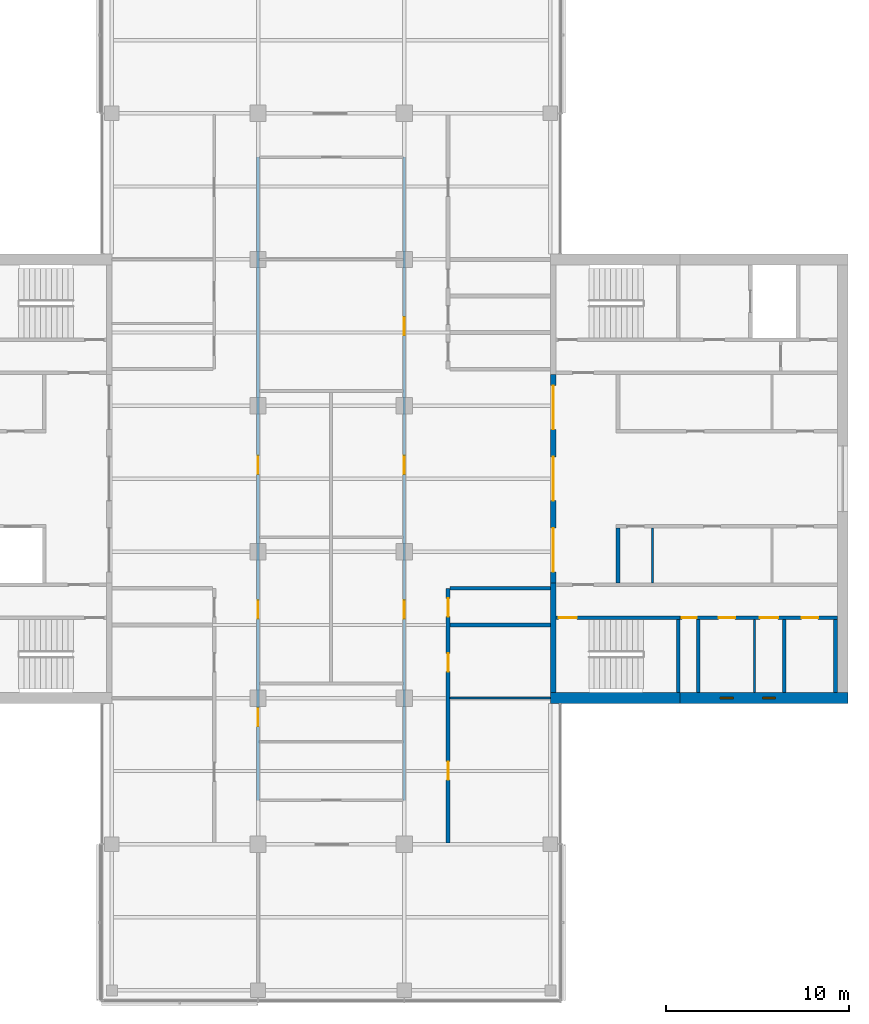
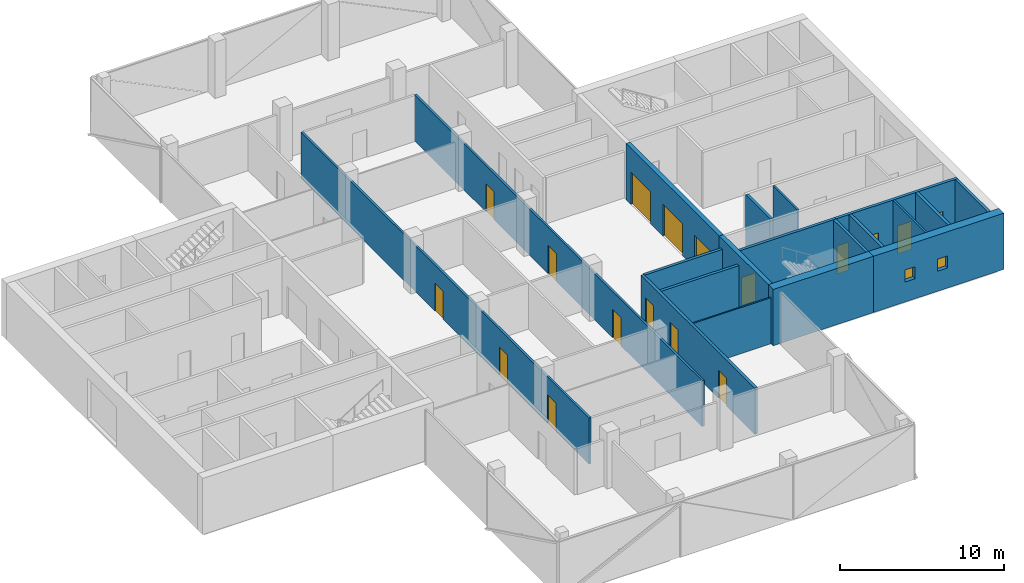
# One storey, part 10 of 16: 19 walls, 17 doors, 2 windows, 19 openings.
"""IFC4 building model written with IfcOpenShell, lengths in metres."""

from ifc_helpers import new_model, si_unit, direction, frame, frame_2d, origin, place, context, subcontext, project, spatial, rectangle, extrude, material, layer, layer_set, constituent, constituent_set, type_object, element, fill, save


model = new_model("IFC4")

# Units and contexts
model_context = context("Model", 3, precision=1e-05, world=origin(), true_north=direction((0.0, 1.0)))
body_context = subcontext(model_context, "Body", "Model", "MODEL_VIEW")
ifc_project = project(units=[si_unit("LENGTHUNIT", "METRE"), si_unit("AREAUNIT", "SQUARE_METRE"), si_unit("VOLUMEUNIT", "CUBIC_METRE"), si_unit("PLANEANGLEUNIT", "RADIAN"), si_unit("MASSUNIT", "GRAM", prefix="KILO")], contexts=[model_context])

# Site, building, storey
site_placement = place(None, origin())
site = spatial("IfcSite", under=ifc_project, at=site_placement, CompositionType="ELEMENT")
building_placement = place(site_placement, origin())
building = spatial("IfcBuilding", under=site, at=building_placement, Name="Crosswind Convention Tower", CompositionType="ELEMENT")
storey_placement = place(building_placement, frame((0.0, 0.0, 212.5)))
storey = spatial("IfcBuildingStorey", under=building, at=storey_placement, Name="L45", CompositionType="ELEMENT", Elevation=212.5)

# Wall
ifc_material_1 = material(Name="Concrete blockwork", Category="masonry")
ifc_layer_1 = layer(ifc_material_1, 0.199951171875)
ifc_layer_set_1 = layer_set([ifc_layer_1], Name="Blockwork partition wall 200")
wall_type_1 = type_object("IfcWallType", Name="Blockwork partition wall 200", PredefinedType="PARTITIONING", material=ifc_layer_set_1)
wall_1_placement = place(storey_placement, frame((145.10009765625, 88.300048828125, 0.0), z_axis=(0.0, 0.0, 1.0), x_axis=(0.0, 1.0, 0.0)))
element("IfcWall", 1, at=wall_1_placement, inside=storey, type_object=wall_type_1, Name="Wall MRSE E L45", PredefinedType="PARTITIONING", context=body_context, shape_type="SweptSolid", body=[
    extrude(rectangle(XDim=4.0, YDim=0.199951171875, at=frame_2d((2.0, 0.0))), origin(), (0.0, 0.0, 1.0), 4.199951171875),
])

# Wall, openings, doors
ifc_layer_2 = layer(ifc_material_1, 0.199951171875)
ifc_layer_set_2 = layer_set([ifc_layer_2], Name="COMPARTMENT WALL 200 BLOCKWORK")
wall_type_2 = type_object("IfcWallType", Name="COMPARTMENT WALL 200 BLOCKWORK", PredefinedType="SOLIDWALL", material=ifc_layer_set_2)
wall_2_placement = place(storey_placement, frame((131.39990234375, 80.074951171875, 0.0), z_axis=(0.0, 0.0, 1.0), x_axis=(0.0, 1.0, 0.0)))
wall_2 = element("IfcWall", 2, at=wall_2_placement, inside=storey, type_object=wall_type_2, Name="Compartment wall WT42", PredefinedType="SOLIDWALL", context=body_context, shape_type="SweptSolid", body=[
    extrude(rectangle(XDim=13.925048828125, YDim=0.199951171875, at=frame_2d((6.96240234375, 0.0))), origin(), (0.0, 0.0, 1.0), 3.439697265625),
])
opening_1_placement = place(wall_2_placement, frame((12.375, 0.0, 0.0)))
opening_1 = element("IfcOpeningElement", 3, at=opening_1_placement, cuts=wall_2, Name="Opening L45-54", PredefinedType="OPENING", context=body_context, shape_type="SweptSolid", body=[
    extrude(rectangle(XDim=1.0, YDim=2.10009765625, at=frame_2d((0.5, 1.050048828125))), frame((0.0, 0.10986328125, 0.0), z_axis=(0.0, -1.0, 0.0), x_axis=(1.0, 0.0, 0.0)), (0.0, 0.0, 1.0), 0.219970703125),
])
opening_2_placement = place(wall_2_placement, frame((9.375, 0.0, 0.0)))
opening_2 = element("IfcOpeningElement", 4, at=opening_2_placement, cuts=wall_2, Name="Opening L45-55", PredefinedType="OPENING", context=body_context, shape_type="SweptSolid", body=[
    extrude(rectangle(XDim=1.0, YDim=2.10009765625, at=frame_2d((0.5, 1.050048828125))), frame((0.0, 0.10986328125, 0.0), z_axis=(0.0, -1.0, 0.0), x_axis=(1.0, 0.0, 0.0)), (0.0, 0.0, 1.0), 0.219970703125),
])
opening_3_placement = place(wall_2_placement, frame((3.449951171875, 0.0, 0.0)))
opening_3 = element("IfcOpeningElement", 5, at=opening_3_placement, cuts=wall_2, Name="Opening L45-56", PredefinedType="OPENING", context=body_context, shape_type="SweptSolid", body=[
    extrude(rectangle(XDim=1.0, YDim=2.10009765625, at=frame_2d((0.5, 1.050048828125))), frame((0.0, 0.10986328125, 0.0), z_axis=(0.0, -1.0, 0.0), x_axis=(1.0, 0.0, 0.0)), (0.0, 0.0, 1.0), 0.219970703125),
])
ifc_material_2 = material(Name="Steel fire door", Category="steel")
door_type_1 = type_object("IfcDoorType", Name="PLANT ROOM DOOR 1000X2100 FD60", OperationType="NOTDEFINED", PredefinedType="DOOR", material=ifc_material_2)
door_1_placement = place(opening_1_placement, frame((1.0, 0.0, 0.0), z_axis=(0.0, 0.0, 1.0), x_axis=(-1.0, 0.0, 0.0)))
door_1 = element("IfcDoor", 6, at=door_1_placement, inside=storey, type_object=door_type_1, Name="Door L45-54", ObjectType="D43", OperationType="SINGLE_SWING_RIGHT", OverallHeight=2.10009765625, OverallWidth=1.0, PredefinedType="DOOR", context=body_context, shape_type="SweptSolid", body=[
    extrude(rectangle(XDim=1.0, YDim=2.10009765625, at=frame_2d((0.5, 1.050048828125))), frame((0.0, 0.02490234375, 0.0), z_axis=(0.0, -1.0, 0.0), x_axis=(1.0, 0.0, 0.0)), (0.0, 0.0, 1.0), 0.050048828125),
])
fill(opening_1, door_1)
ifc_material_3 = material(Name="Timber fire door", Category="wood")
door_type_2 = type_object("IfcDoorType", Name="TENANCY ENTRANCE DOOR 1000X2100 FD30S", OperationType="NOTDEFINED", PredefinedType="DOOR", material=ifc_material_3)
door_2_placement = place(opening_2_placement, frame((1.0, 0.0, 0.0), z_axis=(0.0, 0.0, 1.0), x_axis=(-1.0, 0.0, 0.0)))
door_2 = element("IfcDoor", 7, at=door_2_placement, inside=storey, type_object=door_type_2, Name="Door L45-55", ObjectType="D41", OperationType="SINGLE_SWING_LEFT", OverallHeight=2.10009765625, OverallWidth=1.0, PredefinedType="DOOR", context=body_context, shape_type="SweptSolid", body=[
    extrude(rectangle(XDim=1.0, YDim=2.10009765625, at=frame_2d((0.5, 1.050048828125))), frame((0.0, 0.02490234375, 0.0), z_axis=(0.0, -1.0, 0.0), x_axis=(1.0, 0.0, 0.0)), (0.0, 0.0, 1.0), 0.050048828125),
])
fill(opening_2, door_2)
door_3_placement = place(opening_3_placement, frame((1.0, 0.0, 0.0), z_axis=(0.0, 0.0, 1.0), x_axis=(-1.0, 0.0, 0.0)))
door_3 = element("IfcDoor", 8, at=door_3_placement, inside=storey, type_object=door_type_2, Name="Door L45-56", ObjectType="D41", OperationType="SINGLE_SWING_LEFT", OverallHeight=2.10009765625, OverallWidth=1.0, PredefinedType="DOOR", context=body_context, shape_type="SweptSolid", body=[
    extrude(rectangle(XDim=1.0, YDim=2.10009765625, at=frame_2d((0.5, 1.050048828125))), frame((0.0, 0.02490234375, 0.0), z_axis=(0.0, -1.0, 0.0), x_axis=(1.0, 0.0, 0.0)), (0.0, 0.0, 1.0), 0.050048828125),
])
fill(opening_3, door_3)

# Walls
for number, where, z_axis, x_axis, name in (
    (9, (131.5, 92.0, 0.0), (0.0, 0.0, 1.0), (1.0, 0.0, 0.0), "Compartment wall WT42"),
    (10, (131.5, 94.0, 0.0), (0.0, 0.0, 1.0), (1.0, 0.0, 0.0), "Compartment wall WT42"),
):
    element("IfcWall", number, at=place(storey_placement, frame(where, z_axis=z_axis, x_axis=x_axis)), inside=storey, type_object=wall_type_2, Name=name, PredefinedType="SOLIDWALL", context=body_context, shape_type="SweptSolid", body=[
        extrude(rectangle(XDim=5.5, YDim=0.199951171875, at=frame_2d((2.75, 0.0))), origin(), (0.0, 0.0, 1.0), 3.439697265625),
    ])

# Wall, openings, doors
ifc_material_4 = material(Name="Concrete C50/60", Category="concrete")
ifc_layer_3 = layer(ifc_material_4, 0.300048828125)
ifc_layer_set_3 = layer_set([ifc_layer_3], Name="Concrete C50/60")
wall_type_3 = type_object("IfcWallType", Name="Concrete inner core wall 300", PredefinedType="SHEAR", material=ifc_layer_set_3)
wall_3_placement = place(storey_placement, frame((137.14990234375, 94.300048828125, 0.0), z_axis=(0.0, 0.0, 1.0), x_axis=(0.0, 1.0, 0.0)))
wall_3 = element("IfcWall", 11, at=wall_3_placement, inside=storey, type_object=wall_type_3, Name="Wall SCR E L45", PredefinedType="SHEAR", context=body_context, shape_type="SweptSolid", body=[
    extrude(rectangle(XDim=11.39990234375, YDim=0.300048828125, at=frame_2d((5.699951171875, 0.0))), origin(), (0.0, 0.0, 1.0), 4.199951171875),
])
opening_4_placement = place(wall_3_placement, frame((0.60009765625, 0.0, 0.0)))
opening_4 = element("IfcOpeningElement", 12, at=opening_4_placement, cuts=wall_3, Name="Opening D100", PredefinedType="OPENING", context=body_context, shape_type="SweptSolid", body=[
    extrude(rectangle(XDim=2.39990234375, YDim=2.39990234375, at=frame_2d((1.199951171875, 1.199951171875))), frame((0.0, 0.159912109375, 0.0), z_axis=(0.0, -1.0, 0.0), x_axis=(1.0, 0.0, 0.0)), (0.0, 0.0, 1.0), 0.320068359375),
])
opening_5_placement = place(wall_3_placement, frame((4.5, 0.0, 0.0)))
opening_5 = element("IfcOpeningElement", 13, at=opening_5_placement, cuts=wall_3, Name="Opening D100", PredefinedType="OPENING", context=body_context, shape_type="SweptSolid", body=[
    extrude(rectangle(XDim=2.39990234375, YDim=2.39990234375, at=frame_2d((1.199951171875, 1.199951171875))), frame((0.0, 0.159912109375, 0.0), z_axis=(0.0, -1.0, 0.0), x_axis=(1.0, 0.0, 0.0)), (0.0, 0.0, 1.0), 0.320068359375),
])
opening_6_placement = place(wall_3_placement, frame((8.39990234375, 0.0, 0.0)))
opening_6 = element("IfcOpeningElement", 14, at=opening_6_placement, cuts=wall_3, Name="Opening D100", PredefinedType="OPENING", context=body_context, shape_type="SweptSolid", body=[
    extrude(rectangle(XDim=2.39990234375, YDim=2.39990234375, at=frame_2d((1.199951171875, 1.199951171875))), frame((0.0, 0.159912109375, 0.0), z_axis=(0.0, -1.0, 0.0), x_axis=(1.0, 0.0, 0.0)), (0.0, 0.0, 1.0), 0.320068359375),
])
ifc_material_5 = material(Name="Steel fire door with glazed vision panels", Category="steel")
door_type_3 = type_object("IfcDoorType", Name="Fire-rated double door 2400x2400", OperationType="DOUBLE_DOOR_SINGLE_SWING", PredefinedType="DOOR", material=ifc_material_5)
door_4_placement = place(opening_4_placement, origin())
door_4 = element("IfcDoor", 15, at=door_4_placement, inside=storey, type_object=door_type_3, Name="Lobby door 1 L45", ObjectType="D100", OperationType="DOUBLE_DOOR_SINGLE_SWING", OverallHeight=2.39990234375, OverallWidth=2.39990234375, PredefinedType="DOOR", context=body_context, shape_type="SweptSolid", body=[
    extrude(rectangle(XDim=2.39990234375, YDim=2.39990234375, at=frame_2d((1.199951171875, 1.199951171875))), frame((0.0, 0.02490234375, 0.0), z_axis=(0.0, -1.0, 0.0), x_axis=(1.0, 0.0, 0.0)), (0.0, 0.0, 1.0), 0.050048828125),
])
fill(opening_4, door_4)
door_5_placement = place(opening_5_placement, origin())
door_5 = element("IfcDoor", 16, at=door_5_placement, inside=storey, type_object=door_type_3, Name="Lobby door 2 L45", ObjectType="D100", OperationType="DOUBLE_DOOR_SINGLE_SWING", OverallHeight=2.39990234375, OverallWidth=2.39990234375, PredefinedType="DOOR", context=body_context, shape_type="SweptSolid", body=[
    extrude(rectangle(XDim=2.39990234375, YDim=2.39990234375, at=frame_2d((1.199951171875, 1.199951171875))), frame((0.0, 0.02490234375, 0.0), z_axis=(0.0, -1.0, 0.0), x_axis=(1.0, 0.0, 0.0)), (0.0, 0.0, 1.0), 0.050048828125),
])
fill(opening_5, door_5)
door_6_placement = place(opening_6_placement, origin())
door_6 = element("IfcDoor", 17, at=door_6_placement, inside=storey, type_object=door_type_3, Name="Lobby door 3 L45", ObjectType="D100", OperationType="DOUBLE_DOOR_SINGLE_SWING", OverallHeight=2.39990234375, OverallWidth=2.39990234375, PredefinedType="DOOR", context=body_context, shape_type="SweptSolid", body=[
    extrude(rectangle(XDim=2.39990234375, YDim=2.39990234375, at=frame_2d((1.199951171875, 1.199951171875))), frame((0.0, 0.02490234375, 0.0), z_axis=(0.0, -1.0, 0.0), x_axis=(1.0, 0.0, 0.0)), (0.0, 0.0, 1.0), 0.050048828125),
])
fill(opening_6, door_6)

# Walls
wall_4_placement = place(storey_placement, frame((137.14990234375, 88.300048828125, 0.0), z_axis=(0.0, 0.0, 1.0), x_axis=(0.0, 1.0, 0.0)))
element("IfcWall", 18, at=wall_4_placement, inside=storey, type_object=wall_type_3, Name="Wall EM E L45", PredefinedType="SHEAR", context=body_context, shape_type="SweptSolid", body=[
    extrude(rectangle(XDim=6.0, YDim=0.300048828125, at=frame_2d((3.0, 0.0))), origin(), (0.0, 0.0, 1.0), 4.199951171875),
])
ifc_layer_4 = layer(ifc_material_4, 0.199951171875)
ifc_layer_set_4 = layer_set([ifc_layer_4], Name="Concrete C50/60")
wall_type_4 = type_object("IfcWallType", Name="Concrete shaft and stair wall 200", PredefinedType="SHEAR", material=ifc_layer_set_4)
wall_5_placement = place(storey_placement, frame((140.699951171875, 94.300048828125, 0.0), z_axis=(0.0, 0.0, 1.0), x_axis=(0.0, 1.0, 0.0)))
element("IfcWall", 19, at=wall_5_placement, inside=storey, type_object=wall_type_4, Name="Wall RMEND E L45", PredefinedType="SHEAR", context=body_context, shape_type="SweptSolid", body=[
    extrude(rectangle(XDim=3.0, YDim=0.199951171875, at=frame_2d((1.5, 0.0))), origin(), (0.0, 0.0, 1.0), 4.199951171875),
])
for number, where, z_axis, x_axis, name in (
    (20, (144.0, 88.300048828125, 0.0), (0.0, 0.0, 1.0), (0.0, 1.0, 0.0), "Wall MSE E L45"),
    (21, (149.800048828125, 88.300048828125, 0.0), (0.0, 0.0, 1.0), (0.0, 1.0, 0.0), "Wall MFSW E L45"),
    (22, (152.60009765625, 88.300048828125, 0.0), (0.0, 0.0, 1.0), (0.0, 1.0, 0.0), "Wall MFSE E L45"),
):
    element("IfcWall", number, at=place(storey_placement, frame(where, z_axis=z_axis, x_axis=x_axis)), inside=storey, type_object=wall_type_4, Name=name, PredefinedType="SHEAR", context=body_context, shape_type="SweptSolid", body=[
        extrude(rectangle(XDim=4.0, YDim=0.199951171875, at=frame_2d((2.0, 0.0))), origin(), (0.0, 0.0, 1.0), 4.199951171875),
    ])

# Wall, opening, door
wall_6_placement = place(storey_placement, frame((137.300048828125, 92.39990234375, 0.0), z_axis=(0.0, 0.0, 1.0), x_axis=(1.0, 0.0, 0.0)))
wall_6 = element("IfcWall", 23, at=wall_6_placement, inside=storey, type_object=wall_type_4, Name="Wall MCW E L45", PredefinedType="SHEAR", context=body_context, shape_type="SweptSolid", body=[
    extrude(rectangle(XDim=6.800048828125, YDim=0.199951171875, at=frame_2d((3.39990234375, 0.0))), origin(), (0.0, 0.0, 1.0), 4.199951171875),
])
opening_7_placement = place(wall_6_placement, frame((0.14990234375, 0.0, 0.0)))
opening_7 = element("IfcOpeningElement", 24, at=opening_7_placement, cuts=wall_6, Name="Opening D103", PredefinedType="OPENING", context=body_context, shape_type="SweptSolid", body=[
    extrude(rectangle(XDim=1.0, YDim=2.10009765625, at=frame_2d((0.5, 1.050048828125))), frame((0.0, 0.10986328125, 0.0), z_axis=(0.0, -1.0, 0.0), x_axis=(1.0, 0.0, 0.0)), (0.0, 0.0, 1.0), 0.219970703125),
])
door_type_4 = type_object("IfcDoorType", Name="Fire-rated single door 1000x2100", OperationType="NOTDEFINED", PredefinedType="DOOR", material=ifc_material_2)
door_7_placement = place(opening_7_placement, frame((1.0, 0.0, 0.0), z_axis=(0.0, 0.0, 1.0), x_axis=(-1.0, 0.0, 0.0)))
door_7 = element("IfcDoor", 25, at=door_7_placement, inside=storey, type_object=door_type_4, Name="Stair ST2 door L45", ObjectType="D103", OperationType="SINGLE_SWING_RIGHT", OverallHeight=2.10009765625, OverallWidth=1.0, PredefinedType="DOOR", context=body_context, shape_type="SweptSolid", body=[
    extrude(rectangle(XDim=1.0, YDim=2.10009765625, at=frame_2d((0.5, 1.050048828125))), frame((0.0, 0.02490234375, 0.0), z_axis=(0.0, -1.0, 0.0), x_axis=(1.0, 0.0, 0.0)), (0.0, 0.0, 1.0), 0.050048828125),
])
fill(opening_7, door_7)

# Wall, openings, doors
wall_7_placement = place(storey_placement, frame((144.10009765625, 92.39990234375, 0.0), z_axis=(0.0, 0.0, 1.0), x_axis=(1.0, 0.0, 0.0)))
wall_7 = element("IfcWall", 26, at=wall_7_placement, inside=storey, type_object=wall_type_4, Name="Wall MCX E L45", PredefinedType="SHEAR", context=body_context, shape_type="SweptSolid", body=[
    extrude(rectangle(XDim=8.599853515625, YDim=0.199951171875, at=frame_2d((4.2998046875, 0.0))), origin(), (0.0, 0.0, 1.0), 4.199951171875),
])
opening_8_placement = place(wall_7_placement, frame((0.10009765625, 0.0, 0.0)))
opening_8 = element("IfcOpeningElement", 27, at=opening_8_placement, cuts=wall_7, Name="Opening D105", PredefinedType="OPENING", context=body_context, shape_type="SweptSolid", body=[
    extrude(rectangle(XDim=0.800048828125, YDim=2.10009765625, at=frame_2d((0.39990234375, 1.050048828125))), frame((0.0, 0.10986328125, 0.0), z_axis=(0.0, -1.0, 0.0), x_axis=(1.0, 0.0, 0.0)), (0.0, 0.0, 1.0), 0.219970703125),
])
opening_9_placement = place(wall_7_placement, frame((2.103759765625, 0.0, 0.0)))
opening_9 = element("IfcOpeningElement", 28, at=opening_9_placement, cuts=wall_7, Name="Opening D106", PredefinedType="OPENING", context=body_context, shape_type="SweptSolid", body=[
    extrude(rectangle(XDim=0.89990234375, YDim=2.10009765625, at=frame_2d((0.449951171875, 1.050048828125))), frame((0.0, 0.10986328125, 0.0), z_axis=(0.0, -1.0, 0.0), x_axis=(1.0, 0.0, 0.0)), (0.0, 0.0, 1.0), 0.219970703125),
])
opening_10_placement = place(wall_7_placement, frame((4.3662109375, 0.0, 0.0)))
opening_10 = element("IfcOpeningElement", 29, at=opening_10_placement, cuts=wall_7, Name="Opening D103", PredefinedType="OPENING", context=body_context, shape_type="SweptSolid", body=[
    extrude(rectangle(XDim=1.0, YDim=2.10009765625, at=frame_2d((0.5, 1.050048828125))), frame((0.0, 0.10986328125, 0.0), z_axis=(0.0, -1.0, 0.0), x_axis=(1.0, 0.0, 0.0)), (0.0, 0.0, 1.0), 0.219970703125),
])
opening_11_placement = place(wall_7_placement, frame((6.64990234375, 0.0, 0.0)))
opening_11 = element("IfcOpeningElement", 30, at=opening_11_placement, cuts=wall_7, Name="Opening D106", PredefinedType="OPENING", context=body_context, shape_type="SweptSolid", body=[
    extrude(rectangle(XDim=0.89990234375, YDim=2.10009765625, at=frame_2d((0.449951171875, 1.050048828125))), frame((0.0, 0.10986328125, 0.0), z_axis=(0.0, -1.0, 0.0), x_axis=(1.0, 0.0, 0.0)), (0.0, 0.0, 1.0), 0.219970703125),
])
door_8_placement = place(opening_10_placement, frame((1.0, 0.0, 0.0), z_axis=(0.0, 0.0, 1.0), x_axis=(-1.0, 0.0, 0.0)))
door_8 = element("IfcDoor", 31, at=door_8_placement, inside=storey, type_object=door_type_4, Name="Door to accessible wc L45", ObjectType="D103", OperationType="SINGLE_SWING_LEFT", OverallHeight=2.10009765625, OverallWidth=1.0, PredefinedType="DOOR", context=body_context, shape_type="SweptSolid", body=[
    extrude(rectangle(XDim=1.0, YDim=2.10009765625, at=frame_2d((0.5, 1.050048828125))), frame((0.0, 0.02490234375, 0.0), z_axis=(0.0, -1.0, 0.0), x_axis=(1.0, 0.0, 0.0)), (0.0, 0.0, 1.0), 0.050048828125),
])
fill(opening_10, door_8)
door_type_5 = type_object("IfcDoorType", Name="Riser access door 800x2100", OperationType="NOTDEFINED", PredefinedType="DOOR", material=ifc_material_2)
door_9_placement = place(opening_8_placement, frame((0.800048828125, 0.0, 0.0), z_axis=(0.0, 0.0, 1.0), x_axis=(-1.0, 0.0, 0.0)))
door_9 = element("IfcDoor", 32, at=door_9_placement, inside=storey, type_object=door_type_5, Name="Riser door L45", ObjectType="D105", OperationType="SINGLE_SWING_LEFT", OverallHeight=2.10009765625, OverallWidth=0.800048828125, PredefinedType="DOOR", context=body_context, shape_type="SweptSolid", body=[
    extrude(rectangle(XDim=0.800048828125, YDim=2.10009765625, at=frame_2d((0.39990234375, 1.050048828125))), frame((0.0, 0.02490234375, 0.0), z_axis=(0.0, -1.0, 0.0), x_axis=(1.0, 0.0, 0.0)), (0.0, 0.0, 1.0), 0.050048828125),
])
fill(opening_8, door_9)
ifc_material_6 = material(Name="Timber door", Category="wood")
door_type_6 = type_object("IfcDoorType", Name="Single leaf door 900x2100", OperationType="NOTDEFINED", PredefinedType="DOOR", material=ifc_material_6)
door_10_placement = place(opening_9_placement, frame((0.89990234375, 0.0, 0.0), z_axis=(0.0, 0.0, 1.0), x_axis=(-1.0, 0.0, 0.0)))
door_10 = element("IfcDoor", 33, at=door_10_placement, inside=storey, type_object=door_type_6, Name="Door to wc L45", ObjectType="D106", OperationType="SINGLE_SWING_LEFT", OverallHeight=2.10009765625, OverallWidth=0.89990234375, PredefinedType="DOOR", context=body_context, shape_type="SweptSolid", body=[
    extrude(rectangle(XDim=0.89990234375, YDim=2.10009765625, at=frame_2d((0.449951171875, 1.050048828125))), frame((0.0, 0.02490234375, 0.0), z_axis=(0.0, -1.0, 0.0), x_axis=(1.0, 0.0, 0.0)), (0.0, 0.0, 1.0), 0.050048828125),
])
fill(opening_9, door_10)
door_11_placement = place(opening_11_placement, frame((0.89990234375, 0.0, 0.0), z_axis=(0.0, 0.0, 1.0), x_axis=(-1.0, 0.0, 0.0)))
door_11 = element("IfcDoor", 34, at=door_11_placement, inside=storey, type_object=door_type_6, Name="Door to accessible wc L45", ObjectType="D106", OperationType="SINGLE_SWING_LEFT", OverallHeight=2.10009765625, OverallWidth=0.89990234375, PredefinedType="DOOR", context=body_context, shape_type="SweptSolid", body=[
    extrude(rectangle(XDim=0.89990234375, YDim=2.10009765625, at=frame_2d((0.449951171875, 1.050048828125))), frame((0.0, 0.02490234375, 0.0), z_axis=(0.0, -1.0, 0.0), x_axis=(1.0, 0.0, 0.0)), (0.0, 0.0, 1.0), 0.050048828125),
])
fill(opening_11, door_11)

# Walls
ifc_material_7 = material(Name="Gypsum plasterboard partition", Category="gypsum")
ifc_layer_5 = layer(ifc_material_7, 0.125)
ifc_layer_set_5 = layer_set([ifc_layer_5], Name="Drywall partition wall 125")
wall_type_5 = type_object("IfcWallType", Name="Drywall partition wall 125", PredefinedType="PARTITIONING", material=ifc_layer_set_5)
wall_8_placement = place(storey_placement, frame((142.5849609375, 94.300048828125, 0.0), z_axis=(0.0, 0.0, 1.0), x_axis=(0.0, 1.0, 0.0)))
element("IfcWall", 35, at=wall_8_placement, inside=storey, type_object=wall_type_5, Name="Wall RMP1 E L45", PredefinedType="PARTITIONING", context=body_context, shape_type="SweptSolid", body=[
    extrude(rectangle(XDim=3.0, YDim=0.125, at=frame_2d((1.5, 0.0))), origin(), (0.0, 0.0, 1.0), 4.199951171875),
])
wall_9_placement = place(storey_placement, frame((148.169921875, 88.300048828125, 0.0), z_axis=(0.0, 0.0, 1.0), x_axis=(0.0, 1.0, 0.0)))
element("IfcWall", 36, at=wall_9_placement, inside=storey, type_object=wall_type_5, Name="Wall MWP1 E L45", PredefinedType="PARTITIONING", context=body_context, shape_type="SweptSolid", body=[
    extrude(rectangle(XDim=4.0, YDim=0.125, at=frame_2d((2.0, 0.0))), origin(), (0.0, 0.0, 1.0), 4.199951171875),
])
ifc_material_8 = material(Name="Plasterboard partition", Category="gypsum")
ifc_layer_6 = layer(ifc_material_8, 0.10009765625)
ifc_layer_set_6 = layer_set([ifc_layer_6], Name="PARTITION 100 METAL STUD")
wall_type_6 = type_object("IfcWallType", Name="PARTITION 100 METAL STUD", PredefinedType="PARTITIONING", material=ifc_layer_set_6)
wall_10_placement = place(storey_placement, frame((131.5, 88.0, 0.0), z_axis=(0.0, 0.0, 1.0), x_axis=(1.0, 0.0, 0.0)))
element("IfcWall", 37, at=wall_10_placement, inside=storey, type_object=wall_type_6, Name="Partition wall WT40", PredefinedType="PARTITIONING", context=body_context, shape_type="SweptSolid", body=[
    extrude(rectangle(XDim=5.5, YDim=0.10009765625, at=frame_2d((2.75, 0.0))), origin(), (0.0, 0.0, 1.0), 3.439697265625),
])

# Wall, openings, doors
ifc_material_9 = material(Name="Fire-board partition with mineral wool", Category="gypsum")
ifc_layer_7 = layer(ifc_material_9, 0.14990234375)
ifc_layer_set_7 = layer_set([ifc_layer_7], Name="TENANCY WALL 150 TWO-HOUR BOARD")
wall_type_7 = type_object("IfcWallType", Name="TENANCY WALL 150 TWO-HOUR BOARD", PredefinedType="PARTITIONING", material=ifc_layer_set_7)
wall_11_placement = place(storey_placement, frame((121.0, 82.39990234375, 0.0), z_axis=(0.0, 0.0, 1.0), x_axis=(0.0, 1.0, 0.0)))
wall_11 = element("IfcWall", 38, at=wall_11_placement, inside=storey, type_object=wall_type_7, Name="Tenancy wall WT41", PredefinedType="PARTITIONING", context=body_context, shape_type="SweptSolid", body=[
    extrude(rectangle(XDim=35.2001953125, YDim=0.14990234375, at=frame_2d((17.60009765625, 0.0))), origin(), (0.0, 0.0, 1.0), 3.439697265625),
])
opening_12_placement = place(wall_11_placement, frame((4.050048828125, 0.0, 0.0)))
opening_12 = element("IfcOpeningElement", 39, at=opening_12_placement, cuts=wall_11, Name="Opening L45-66", PredefinedType="OPENING", context=body_context, shape_type="SweptSolid", body=[
    extrude(rectangle(XDim=1.0, YDim=2.10009765625, at=frame_2d((0.5, 1.050048828125))), frame((0.0, 0.0849609375, 0.0), z_axis=(0.0, -1.0, 0.0), x_axis=(1.0, 0.0, 0.0)), (0.0, 0.0, 1.0), 0.169921875),
])
opening_13_placement = place(wall_11_placement, frame((9.949951171875, 0.0, 0.0)))
opening_13 = element("IfcOpeningElement", 40, at=opening_13_placement, cuts=wall_11, Name="Opening L45-67", PredefinedType="OPENING", context=body_context, shape_type="SweptSolid", body=[
    extrude(rectangle(XDim=1.0, YDim=2.10009765625, at=frame_2d((0.5, 1.050048828125))), frame((0.0, 0.0849609375, 0.0), z_axis=(0.0, -1.0, 0.0), x_axis=(1.0, 0.0, 0.0)), (0.0, 0.0, 1.0), 0.169921875),
])
opening_14_placement = place(wall_11_placement, frame((17.85009765625, 0.0, 0.0)))
opening_14 = element("IfcOpeningElement", 41, at=opening_14_placement, cuts=wall_11, Name="Opening L45-69", PredefinedType="OPENING", context=body_context, shape_type="SweptSolid", body=[
    extrude(rectangle(XDim=1.0, YDim=2.10009765625, at=frame_2d((0.5, 1.050048828125))), frame((0.0, 0.0849609375, 0.0), z_axis=(0.0, -1.0, 0.0), x_axis=(1.0, 0.0, 0.0)), (0.0, 0.0, 1.0), 0.169921875),
])
door_12_placement = place(opening_12_placement, frame((1.0, 0.0, 0.0), z_axis=(0.0, 0.0, 1.0), x_axis=(-1.0, 0.0, 0.0)))
door_12 = element("IfcDoor", 42, at=door_12_placement, inside=storey, type_object=door_type_2, Name="Door L45-66", ObjectType="D41", OperationType="SINGLE_SWING_LEFT", OverallHeight=2.10009765625, OverallWidth=1.0, PredefinedType="DOOR", context=body_context, shape_type="SweptSolid", body=[
    extrude(rectangle(XDim=1.0, YDim=2.10009765625, at=frame_2d((0.5, 1.050048828125))), frame((0.0, 0.02490234375, 0.0), z_axis=(0.0, -1.0, 0.0), x_axis=(1.0, 0.0, 0.0)), (0.0, 0.0, 1.0), 0.050048828125),
])
fill(opening_12, door_12)
door_13_placement = place(opening_13_placement, frame((1.0, 0.0, 0.0), z_axis=(0.0, 0.0, 1.0), x_axis=(-1.0, 0.0, 0.0)))
door_13 = element("IfcDoor", 43, at=door_13_placement, inside=storey, type_object=door_type_2, Name="Door L45-67", ObjectType="D41", OperationType="SINGLE_SWING_LEFT", OverallHeight=2.10009765625, OverallWidth=1.0, PredefinedType="DOOR", context=body_context, shape_type="SweptSolid", body=[
    extrude(rectangle(XDim=1.0, YDim=2.10009765625, at=frame_2d((0.5, 1.050048828125))), frame((0.0, 0.02490234375, 0.0), z_axis=(0.0, -1.0, 0.0), x_axis=(1.0, 0.0, 0.0)), (0.0, 0.0, 1.0), 0.050048828125),
])
fill(opening_13, door_13)
door_14_placement = place(opening_14_placement, frame((1.0, 0.0, 0.0), z_axis=(0.0, 0.0, 1.0), x_axis=(-1.0, 0.0, 0.0)))
door_14 = element("IfcDoor", 44, at=door_14_placement, inside=storey, type_object=door_type_2, Name="Door L45-69", ObjectType="D41", OperationType="SINGLE_SWING_LEFT", OverallHeight=2.10009765625, OverallWidth=1.0, PredefinedType="DOOR", context=body_context, shape_type="SweptSolid", body=[
    extrude(rectangle(XDim=1.0, YDim=2.10009765625, at=frame_2d((0.5, 1.050048828125))), frame((0.0, 0.02490234375, 0.0), z_axis=(0.0, -1.0, 0.0), x_axis=(1.0, 0.0, 0.0)), (0.0, 0.0, 1.0), 0.050048828125),
])
fill(opening_14, door_14)

wall_12_placement = place(storey_placement, frame((129.0, 82.39990234375, 0.0), z_axis=(0.0, 0.0, 1.0), x_axis=(0.0, 1.0, 0.0)))
wall_12 = element("IfcWall", 45, at=wall_12_placement, inside=storey, type_object=wall_type_7, Name="Tenancy wall WT41", PredefinedType="PARTITIONING", context=body_context, shape_type="SweptSolid", body=[
    extrude(rectangle(XDim=35.2001953125, YDim=0.14990234375, at=frame_2d((17.60009765625, 0.0))), origin(), (0.0, 0.0, 1.0), 3.439697265625),
])
opening_15_placement = place(wall_12_placement, frame((9.949951171875, 0.0, 0.0)))
opening_15 = element("IfcOpeningElement", 46, at=opening_15_placement, cuts=wall_12, Name="Opening L45-68", PredefinedType="OPENING", context=body_context, shape_type="SweptSolid", body=[
    extrude(rectangle(XDim=1.0, YDim=2.10009765625, at=frame_2d((0.5, 1.050048828125))), frame((0.0, 0.0849609375, 0.0), z_axis=(0.0, -1.0, 0.0), x_axis=(1.0, 0.0, 0.0)), (0.0, 0.0, 1.0), 0.169921875),
])
opening_16_placement = place(wall_12_placement, frame((17.85009765625, 0.0, 0.0)))
opening_16 = element("IfcOpeningElement", 47, at=opening_16_placement, cuts=wall_12, Name="Opening L45-70", PredefinedType="OPENING", context=body_context, shape_type="SweptSolid", body=[
    extrude(rectangle(XDim=1.0, YDim=2.10009765625, at=frame_2d((0.5, 1.050048828125))), frame((0.0, 0.0849609375, 0.0), z_axis=(0.0, -1.0, 0.0), x_axis=(1.0, 0.0, 0.0)), (0.0, 0.0, 1.0), 0.169921875),
])
opening_17_placement = place(wall_12_placement, frame((25.449951171875, 0.0, 0.0)))
opening_17 = element("IfcOpeningElement", 48, at=opening_17_placement, cuts=wall_12, Name="Opening L45-71", PredefinedType="OPENING", context=body_context, shape_type="SweptSolid", body=[
    extrude(rectangle(XDim=1.0, YDim=2.10009765625, at=frame_2d((0.5, 1.050048828125))), frame((0.0, 0.0849609375, 0.0), z_axis=(0.0, -1.0, 0.0), x_axis=(1.0, 0.0, 0.0)), (0.0, 0.0, 1.0), 0.169921875),
])
door_15_placement = place(opening_15_placement, origin())
door_15 = element("IfcDoor", 49, at=door_15_placement, inside=storey, type_object=door_type_2, Name="Door L45-68", ObjectType="D41", OperationType="SINGLE_SWING_RIGHT", OverallHeight=2.10009765625, OverallWidth=1.0, PredefinedType="DOOR", context=body_context, shape_type="SweptSolid", body=[
    extrude(rectangle(XDim=1.0, YDim=2.10009765625, at=frame_2d((0.5, 1.050048828125))), frame((0.0, 0.02490234375, 0.0), z_axis=(0.0, -1.0, 0.0), x_axis=(1.0, 0.0, 0.0)), (0.0, 0.0, 1.0), 0.050048828125),
])
fill(opening_15, door_15)
door_16_placement = place(opening_16_placement, origin())
door_16 = element("IfcDoor", 50, at=door_16_placement, inside=storey, type_object=door_type_2, Name="Door L45-70", ObjectType="D41", OperationType="SINGLE_SWING_RIGHT", OverallHeight=2.10009765625, OverallWidth=1.0, PredefinedType="DOOR", context=body_context, shape_type="SweptSolid", body=[
    extrude(rectangle(XDim=1.0, YDim=2.10009765625, at=frame_2d((0.5, 1.050048828125))), frame((0.0, 0.02490234375, 0.0), z_axis=(0.0, -1.0, 0.0), x_axis=(1.0, 0.0, 0.0)), (0.0, 0.0, 1.0), 0.050048828125),
])
fill(opening_16, door_16)
door_17_placement = place(opening_17_placement, origin())
door_17 = element("IfcDoor", 51, at=door_17_placement, inside=storey, type_object=door_type_2, Name="Door L45-71", ObjectType="D41", OperationType="SINGLE_SWING_RIGHT", OverallHeight=2.10009765625, OverallWidth=1.0, PredefinedType="DOOR", context=body_context, shape_type="SweptSolid", body=[
    extrude(rectangle(XDim=1.0, YDim=2.10009765625, at=frame_2d((0.5, 1.050048828125))), frame((0.0, 0.02490234375, 0.0), z_axis=(0.0, -1.0, 0.0), x_axis=(1.0, 0.0, 0.0)), (0.0, 0.0, 1.0), 0.050048828125),
])
fill(opening_17, door_17)

# Wall
ifc_material_10 = material(Name="Concrete C60/75", Category="concrete")
ifc_constituent_1 = constituent(ifc_material_10, Name="Structure")
ifc_material_11 = material(Name="Terracotta rainscreen", Category="ceramic")
ifc_constituent_2 = constituent(ifc_material_11, Name="Facing")
ifc_constituent_set = constituent_set(constituents=[ifc_constituent_1, ifc_constituent_2], Name="Concrete C60/75, Terracotta rainscreen")
wall_type_8 = type_object("IfcWallType", Name="Terracotta rainscreen on concrete core wall 600", PredefinedType="SHEAR", material=ifc_constituent_set)
wall_13_placement = place(storey_placement, frame((137.0, 88.0, 0.0), z_axis=(0.0, 0.0, 1.0), x_axis=(1.0, 0.0, 0.0)))
element("IfcWall", 52, at=wall_13_placement, inside=storey, type_object=wall_type_8, Name="Wall S1 E L45", PredefinedType="SHEAR", context=body_context, shape_type="SweptSolid", body=[
    extrude(rectangle(XDim=7.10009765625, YDim=0.60009765625, at=frame_2d((3.550048828125, 0.0))), origin(), (0.0, 0.0, 1.0), 4.199951171875),
])

# Wall, openings, windows
wall_14_placement = place(storey_placement, frame((144.10009765625, 88.0, 0.0), z_axis=(0.0, 0.0, 1.0), x_axis=(1.0, 0.0, 0.0)))
wall_14 = element("IfcWall", 53, at=wall_14_placement, inside=storey, type_object=wall_type_8, Name="Wall S2 E L45", PredefinedType="SHEAR", context=body_context, shape_type="SweptSolid", body=[
    extrude(rectangle(XDim=9.199951171875, YDim=0.60009765625, at=frame_2d((4.60009765625, 0.0))), origin(), (0.0, 0.0, 1.0), 4.199951171875),
])
opening_18_placement = place(wall_14_placement, frame((2.203857421875, 0.0, 1.5)))
opening_18 = element("IfcOpeningElement", 54, at=opening_18_placement, cuts=wall_14, Name="Opening W2", PredefinedType="OPENING", context=body_context, shape_type="SweptSolid", body=[
    extrude(rectangle(XDim=0.699951171875, YDim=0.89990234375, at=frame_2d((0.35009765625, 0.449951171875))), frame((0.0, 0.31005859375, 0.0), z_axis=(0.0, -1.0, 0.0), x_axis=(1.0, 0.0, 0.0)), (0.0, 0.0, 1.0), 0.6201171875),
])
opening_19_placement = place(wall_14_placement, frame((4.516357421875, 0.0, 1.5)))
opening_19 = element("IfcOpeningElement", 55, at=opening_19_placement, cuts=wall_14, Name="Opening W2", PredefinedType="OPENING", context=body_context, shape_type="SweptSolid", body=[
    extrude(rectangle(XDim=0.699951171875, YDim=0.89990234375, at=frame_2d((0.35009765625, 0.449951171875))), frame((0.0, 0.31005859375, 0.0), z_axis=(0.0, -1.0, 0.0), x_axis=(1.0, 0.0, 0.0)), (0.0, 0.0, 1.0), 0.6201171875),
])
ifc_material_12 = material(Name="Obscure glass in aluminium frame", Category="aluminium")
window_type = type_object("IfcWindowType", Name="WC window 700x900", PartitioningType="SINGLE_PANEL", PredefinedType="WINDOW", material=ifc_material_12)
window_1_placement = place(opening_18_placement, origin())
window_1 = element("IfcWindow", 56, at=window_1_placement, inside=storey, type_object=window_type, Name="WC window L45", ObjectType="W2", OverallHeight=0.89990234375, OverallWidth=0.699951171875, PartitioningType="SINGLE_PANEL", PredefinedType="WINDOW", context=body_context, shape_type="SweptSolid", body=[
    extrude(rectangle(XDim=0.699951171875, YDim=0.89990234375, at=frame_2d((0.35009765625, 0.449951171875))), frame((0.0, 0.030029296875, 0.0), z_axis=(0.0, -1.0, 0.0), x_axis=(1.0, 0.0, 0.0)), (0.0, 0.0, 1.0), 0.06005859375),
])
fill(opening_18, window_1)
window_2_placement = place(opening_19_placement, origin())
window_2 = element("IfcWindow", 57, at=window_2_placement, inside=storey, type_object=window_type, Name="WC window L45", ObjectType="W2", OverallHeight=0.89990234375, OverallWidth=0.699951171875, PartitioningType="SINGLE_PANEL", PredefinedType="WINDOW", context=body_context, shape_type="SweptSolid", body=[
    extrude(rectangle(XDim=0.699951171875, YDim=0.89990234375, at=frame_2d((0.35009765625, 0.449951171875))), frame((0.0, 0.030029296875, 0.0), z_axis=(0.0, -1.0, 0.0), x_axis=(1.0, 0.0, 0.0)), (0.0, 0.0, 1.0), 0.06005859375),
])
fill(opening_19, window_2)

save(model, "model.ifc")
